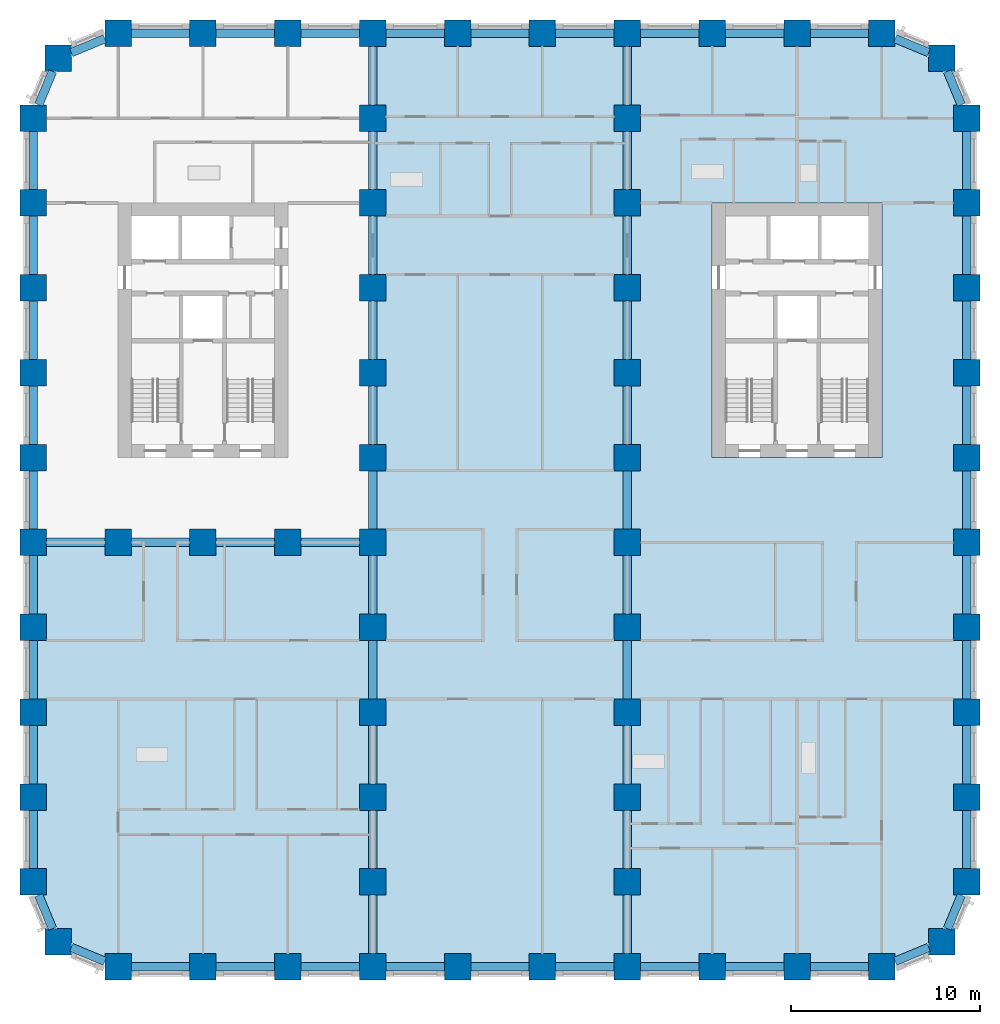
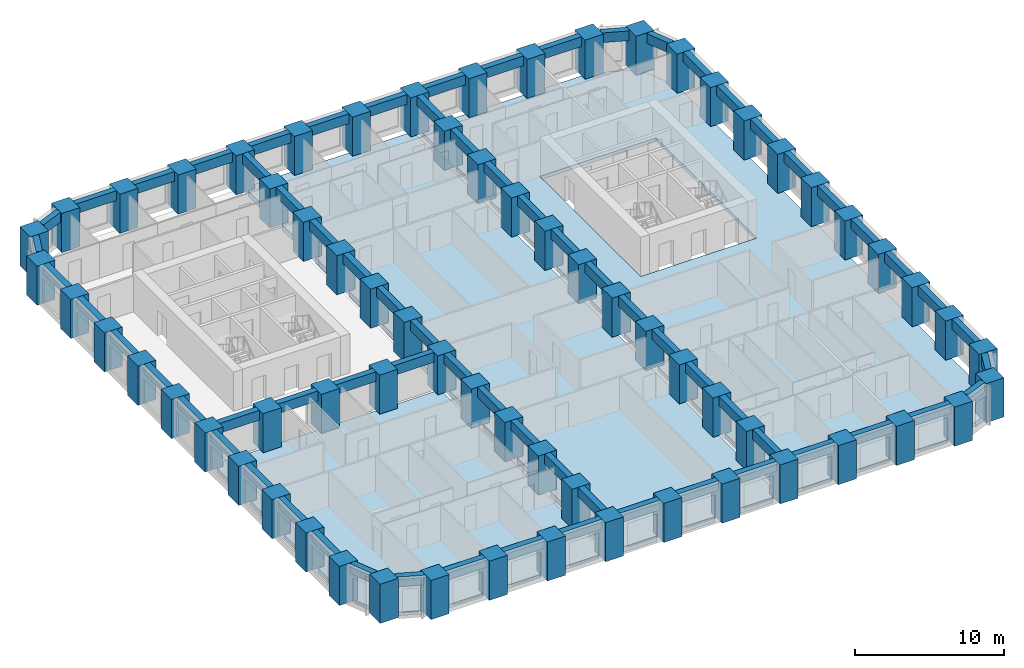
# One storey, part 1 of 13: 70 beams, 67 columns, 3 slabs.
"""IFC4 building model written with IfcOpenShell, lengths in metres."""

from ifc_helpers import new_model, si_unit, direction, frame, origin, origin_2d, place, context, subcontext, project, spatial, polyline, rectangle, outline, extrude, material, layer, layer_set, material_profile, profile_set, type_object, element, save


model = new_model("IFC4")

# Units and contexts
model_context = context("Model", 3, precision=1e-05, world=origin(), true_north=direction((0.0, 1.0)))
body_context = subcontext(model_context, "Body", "Model", "MODEL_VIEW")
ifc_project = project(units=[si_unit("LENGTHUNIT", "METRE"), si_unit("AREAUNIT", "SQUARE_METRE"), si_unit("VOLUMEUNIT", "CUBIC_METRE"), si_unit("PLANEANGLEUNIT", "RADIAN"), si_unit("MASSUNIT", "GRAM", prefix="KILO")], contexts=[model_context])

# Site, building, storey
site_placement = place(None, origin())
site = spatial("IfcSite", under=ifc_project, at=site_placement, CompositionType="ELEMENT")
building_placement = place(site_placement, origin())
building = spatial("IfcBuilding", under=site, at=building_placement, Name="Girih Gate Residences", CompositionType="ELEMENT")
storey_placement = place(building_placement, frame((0.0, 0.0, 49.60009765625)))
storey = spatial("IfcBuildingStorey", under=building, at=storey_placement, Name="L12", CompositionType="ELEMENT", Elevation=49.60009765625)

# Columns
ifc_material_1 = material(Name="Concrete C80/95", Category="concrete")
ifc_material_profile_1 = material_profile(ifc_material_1, rectangle(XDim=1.39990234375, YDim=1.39990234375, at=origin_2d()))
ifc_profile_set_1 = profile_set([ifc_material_profile_1], Name="Concrete C80/95")
column_type = type_object("IfcColumnType", Name="Pier RC 1400x1400 Concrete C80/95", PredefinedType="COLUMN", material=ifc_profile_set_1)
for number, where, z_axis, x_axis, name in (
    (1, (4.5, 0.0, 0.0), (0.0, 0.0, 1.0), (1.0, 0.0, 0.0), "Pier P2A L12"),
    (2, (9.0, 0.0, 0.0), (0.0, 0.0, 1.0), (1.0, 0.0, 0.0), "Pier P3A L12"),
    (3, (13.5, 0.0, 0.0), (0.0, 0.0, 1.0), (1.0, 0.0, 0.0), "Pier P4A L12"),
    (4, (18.0, 0.0, 0.0), (0.0, 0.0, 1.0), (1.0, 0.0, 0.0), "Pier P5A L12"),
    (5, (22.5, 0.0, 0.0), (0.0, 0.0, 1.0), (1.0, 0.0, 0.0), "Pier P6A L12"),
    (6, (27.0, 0.0, 0.0), (0.0, 0.0, 1.0), (1.0, 0.0, 0.0), "Pier P7A L12"),
    (7, (31.5, 0.0, 0.0), (0.0, 0.0, 1.0), (1.0, 0.0, 0.0), "Pier P8A L12"),
    (8, (36.0, 0.0, 0.0), (0.0, 0.0, 1.0), (1.0, 0.0, 0.0), "Pier P9A L12"),
    (9, (40.5, 0.0, 0.0), (0.0, 0.0, 1.0), (1.0, 0.0, 0.0), "Pier P10A L12"),
    (10, (45.0, 0.0, 0.0), (0.0, 0.0, 1.0), (1.0, 0.0, 0.0), "Pier P11A L12"),
    (11, (1.318115234375, 1.318115234375, 0.0), (0.0, 0.0, 1.0), (1.0, 0.0, 0.0), "Pier P1ANE L12"),
    (12, (48.181884765625, 1.318115234375, 0.0), (0.0, 0.0, 1.0), (1.0, 0.0, 0.0), "Pier P12ANW L12"),
    (13, (0.0, 4.5, 0.0), (0.0, 0.0, 1.0), (1.0, 0.0, 0.0), "Pier P1B L12"),
    (14, (18.0, 4.5, 0.0), (0.0, 0.0, 1.0), (1.0, 0.0, 0.0), "Pier P5B L12"),
    (15, (31.5, 4.5, 0.0), (0.0, 0.0, 1.0), (1.0, 0.0, 0.0), "Pier P8B L12"),
    (16, (49.5, 4.5, 0.0), (0.0, 0.0, 1.0), (1.0, 0.0, 0.0), "Pier P12B L12"),
    (17, (0.0, 9.0, 0.0), (0.0, 0.0, 1.0), (1.0, 0.0, 0.0), "Pier P1C L12"),
    (18, (18.0, 9.0, 0.0), (0.0, 0.0, 1.0), (1.0, 0.0, 0.0), "Pier P5C L12"),
    (19, (31.5, 9.0, 0.0), (0.0, 0.0, 1.0), (1.0, 0.0, 0.0), "Pier P8C L12"),
    (20, (49.5, 9.0, 0.0), (0.0, 0.0, 1.0), (1.0, 0.0, 0.0), "Pier P12C L12"),
    (21, (0.0, 13.5, 0.0), (0.0, 0.0, 1.0), (1.0, 0.0, 0.0), "Pier P1D L12"),
    (22, (18.0, 13.5, 0.0), (0.0, 0.0, 1.0), (1.0, 0.0, 0.0), "Pier P5D L12"),
    (23, (31.5, 13.5, 0.0), (0.0, 0.0, 1.0), (1.0, 0.0, 0.0), "Pier P8D L12"),
    (24, (49.5, 13.5, 0.0), (0.0, 0.0, 1.0), (1.0, 0.0, 0.0), "Pier P12D L12"),
    (25, (0.0, 18.0, 0.0), (0.0, 0.0, 1.0), (1.0, 0.0, 0.0), "Pier P1E L12"),
    (26, (18.0, 18.0, 0.0), (0.0, 0.0, 1.0), (1.0, 0.0, 0.0), "Pier P5E L12"),
    (27, (31.5, 18.0, 0.0), (0.0, 0.0, 1.0), (1.0, 0.0, 0.0), "Pier P8E L12"),
    (28, (49.5, 18.0, 0.0), (0.0, 0.0, 1.0), (1.0, 0.0, 0.0), "Pier P12E L12"),
    (29, (0.0, 22.5, 0.0), (0.0, 0.0, 1.0), (1.0, 0.0, 0.0), "Pier P1F L12"),
    (30, (4.5, 22.5, 0.0), (0.0, 0.0, 1.0), (1.0, 0.0, 0.0), "Pier P2F L12"),
    (31, (9.0, 22.5, 0.0), (0.0, 0.0, 1.0), (1.0, 0.0, 0.0), "Pier P3F L12"),
    (32, (13.5, 22.5, 0.0), (0.0, 0.0, 1.0), (1.0, 0.0, 0.0), "Pier P4F L12"),
    (33, (18.0, 22.5, 0.0), (0.0, 0.0, 1.0), (1.0, 0.0, 0.0), "Pier P5F L12"),
    (34, (31.5, 22.5, 0.0), (0.0, 0.0, 1.0), (1.0, 0.0, 0.0), "Pier P8F L12"),
    (35, (49.5, 22.5, 0.0), (0.0, 0.0, 1.0), (1.0, 0.0, 0.0), "Pier P12F L12"),
    (36, (0.0, 27.0, 0.0), (0.0, 0.0, 1.0), (1.0, 0.0, 0.0), "Pier P1G L12"),
    (37, (18.0, 27.0, 0.0), (0.0, 0.0, 1.0), (1.0, 0.0, 0.0), "Pier P5G L12"),
    (38, (31.5, 27.0, 0.0), (0.0, 0.0, 1.0), (1.0, 0.0, 0.0), "Pier P8G L12"),
    (39, (49.5, 27.0, 0.0), (0.0, 0.0, 1.0), (1.0, 0.0, 0.0), "Pier P12G L12"),
    (40, (0.0, 31.5, 0.0), (0.0, 0.0, 1.0), (1.0, 0.0, 0.0), "Pier P1H L12"),
    (41, (18.0, 31.5, 0.0), (0.0, 0.0, 1.0), (1.0, 0.0, 0.0), "Pier P5H L12"),
    (42, (31.5, 31.5, 0.0), (0.0, 0.0, 1.0), (1.0, 0.0, 0.0), "Pier P8H L12"),
    (43, (49.5, 31.5, 0.0), (0.0, 0.0, 1.0), (1.0, 0.0, 0.0), "Pier P12H L12"),
    (44, (0.0, 36.0, 0.0), (0.0, 0.0, 1.0), (1.0, 0.0, 0.0), "Pier P1I L12"),
    (45, (18.0, 36.0, 0.0), (0.0, 0.0, 1.0), (1.0, 0.0, 0.0), "Pier P5I L12"),
    (46, (31.5, 36.0, 0.0), (0.0, 0.0, 1.0), (1.0, 0.0, 0.0), "Pier P8I L12"),
    (47, (49.5, 36.0, 0.0), (0.0, 0.0, 1.0), (1.0, 0.0, 0.0), "Pier P12I L12"),
    (48, (0.0, 40.5, 0.0), (0.0, 0.0, 1.0), (1.0, 0.0, 0.0), "Pier P1J L12"),
    (49, (18.0, 40.5, 0.0), (0.0, 0.0, 1.0), (1.0, 0.0, 0.0), "Pier P5J L12"),
    (50, (31.5, 40.5, 0.0), (0.0, 0.0, 1.0), (1.0, 0.0, 0.0), "Pier P8J L12"),
    (51, (49.5, 40.5, 0.0), (0.0, 0.0, 1.0), (1.0, 0.0, 0.0), "Pier P12J L12"),
    (52, (0.0, 45.0, 0.0), (0.0, 0.0, 1.0), (1.0, 0.0, 0.0), "Pier P1K L12"),
    (53, (18.0, 45.0, 0.0), (0.0, 0.0, 1.0), (1.0, 0.0, 0.0), "Pier P5K L12"),
    (54, (31.5, 45.0, 0.0), (0.0, 0.0, 1.0), (1.0, 0.0, 0.0), "Pier P8K L12"),
    (55, (49.5, 45.0, 0.0), (0.0, 0.0, 1.0), (1.0, 0.0, 0.0), "Pier P12K L12"),
    (56, (1.318115234375, 48.181884765625, 0.0), (0.0, 0.0, 1.0), (1.0, 0.0, 0.0), "Pier P1LSE L12"),
    (57, (48.181884765625, 48.181884765625, 0.0), (0.0, 0.0, 1.0), (1.0, 0.0, 0.0), "Pier P12LSW L12"),
    (58, (4.5, 49.5, 0.0), (0.0, 0.0, 1.0), (1.0, 0.0, 0.0), "Pier P2L L12"),
    (59, (9.0, 49.5, 0.0), (0.0, 0.0, 1.0), (1.0, 0.0, 0.0), "Pier P3L L12"),
    (60, (13.5, 49.5, 0.0), (0.0, 0.0, 1.0), (1.0, 0.0, 0.0), "Pier P4L L12"),
    (61, (18.0, 49.5, 0.0), (0.0, 0.0, 1.0), (1.0, 0.0, 0.0), "Pier P5L L12"),
    (62, (22.5, 49.5, 0.0), (0.0, 0.0, 1.0), (1.0, 0.0, 0.0), "Pier P6L L12"),
    (63, (27.0, 49.5, 0.0), (0.0, 0.0, 1.0), (1.0, 0.0, 0.0), "Pier P7L L12"),
    (64, (31.5, 49.5, 0.0), (0.0, 0.0, 1.0), (1.0, 0.0, 0.0), "Pier P8L L12"),
    (65, (36.0, 49.5, 0.0), (0.0, 0.0, 1.0), (1.0, 0.0, 0.0), "Pier P9L L12"),
    (66, (40.5, 49.5, 0.0), (0.0, 0.0, 1.0), (1.0, 0.0, 0.0), "Pier P10L L12"),
    (67, (45.0, 49.5, 0.0), (0.0, 0.0, 1.0), (1.0, 0.0, 0.0), "Pier P11L L12"),
):
    element("IfcColumn", number, at=place(storey_placement, frame(where, z_axis=z_axis, x_axis=x_axis)), inside=storey, type_object=column_type, Name=name, PredefinedType="COLUMN", context=body_context, shape_type="SweptSolid", body=[
        extrude(rectangle(XDim=1.39990234375, YDim=1.39990234375, at=origin_2d()), origin(), (0.0, 0.0, 1.0), 3.199951171875),
    ])

# Beams
ifc_material_2 = material(Name="Concrete C60/75", Category="concrete")
ifc_material_profile_2 = material_profile(ifc_material_2, rectangle(XDim=0.449951171875, YDim=0.800048828125, at=origin_2d()))
ifc_profile_set_2 = profile_set([ifc_material_profile_2], Name="Concrete C60/75")
beam_type = type_object("IfcBeamType", Name="Spandrel girder RC 450x800 Concrete C60/75", PredefinedType="BEAM", material=ifc_profile_set_2)
for number, where, z_axis, x_axis, name in (
    (68, (0.2900390625, 3.800048828125, 2.7998046875), (0.382646180293, -0.923894961945, 0.0), (0.923894961945, 0.382646180293, 0.0), "Spandrel girder SP-P1B-P1ANE L12"),
    (69, (2.01806640625, 1.028076171875, 2.7998046875), (0.923894961945, -0.382646180293, 0.0), (0.382646180293, 0.923894961945, 0.0), "Spandrel girder SP-P1ANE-P2A L12"),
):
    element("IfcBeam", number, at=place(storey_placement, frame(where, z_axis=z_axis, x_axis=x_axis)), inside=storey, type_object=beam_type, Name=name, PredefinedType="BEAM", context=body_context, shape_type="SweptSolid", body=[
        extrude(rectangle(XDim=0.449951171875, YDim=0.800048828125, at=origin_2d()), origin(), (0.0, 0.0, 1.0), 1.9287109375),
    ])
for number, where, z_axis, x_axis, name in (
    (70, (5.199951171875, 0.0, 2.7998046875), (1.0, 0.0, 0.0), (0.0, 1.0, 0.0), "Spandrel girder SP-P2A-P3A L12"),
    (71, (9.699951171875, 0.0, 2.7998046875), (1.0, 0.0, 0.0), (0.0, 1.0, 0.0), "Spandrel girder SP-P3A-P4A L12"),
    (72, (14.199951171875, 0.0, 2.7998046875), (1.0, 0.0, 0.0), (0.0, 1.0, 0.0), "Spandrel girder SP-P4A-P5A L12"),
    (73, (18.699951171875, 0.0, 2.7998046875), (1.0, 0.0, 0.0), (0.0, 1.0, 0.0), "Spandrel girder SP-P5A-P6A L12"),
    (74, (23.199951171875, 0.0, 2.7998046875), (1.0, 0.0, 0.0), (0.0, 1.0, 0.0), "Spandrel girder SP-P6A-P7A L12"),
    (75, (27.699951171875, 0.0, 2.7998046875), (1.0, 0.0, 0.0), (0.0, 1.0, 0.0), "Spandrel girder SP-P7A-P8A L12"),
    (76, (32.199951171875, 0.0, 2.7998046875), (1.0, 0.0, 0.0), (0.0, 1.0, 0.0), "Spandrel girder SP-P8A-P9A L12"),
    (77, (36.699951171875, 0.0, 2.7998046875), (1.0, 0.0, 0.0), (0.0, 1.0, 0.0), "Spandrel girder SP-P9A-P10A L12"),
    (78, (41.199951171875, 0.0, 2.7998046875), (1.0, 0.0, 0.0), (0.0, 1.0, 0.0), "Spandrel girder SP-P10A-P11A L12"),
):
    element("IfcBeam", number, at=place(storey_placement, frame(where, z_axis=z_axis, x_axis=x_axis)), inside=storey, type_object=beam_type, Name=name, PredefinedType="BEAM", context=body_context, shape_type="SweptSolid", body=[
        extrude(rectangle(XDim=0.449951171875, YDim=0.800048828125, at=origin_2d()), origin(), (0.0, 0.0, 1.0), 3.10009765625),
    ])
for number, where, z_axis, x_axis, name in (
    (79, (45.699951171875, 0.2900390625, 2.7998046875), (0.923894961945, 0.382646180293, 0.0), (-0.382646180293, 0.923894961945, 0.0), "Spandrel girder SP-P11A-P12ANW L12"),
    (80, (48.471923828125, 2.01806640625, 2.7998046875), (0.382646180293, 0.923894961945, 0.0), (-0.923894961945, 0.382646180293, 0.0), "Spandrel girder SP-P12ANW-P12B L12"),
):
    element("IfcBeam", number, at=place(storey_placement, frame(where, z_axis=z_axis, x_axis=x_axis)), inside=storey, type_object=beam_type, Name=name, PredefinedType="BEAM", context=body_context, shape_type="SweptSolid", body=[
        extrude(rectangle(XDim=0.449951171875, YDim=0.800048828125, at=origin_2d()), origin(), (0.0, 0.0, 1.0), 1.9287109375),
    ])
for number, where, z_axis, x_axis, name in (
    (81, (49.5, 5.199951171875, 2.7998046875), (0.0, 1.0, 0.0), (-1.0, 0.0, 0.0), "Spandrel girder SP-P12B-P12C L12"),
    (82, (49.5, 9.699951171875, 2.7998046875), (0.0, 1.0, 0.0), (-1.0, 0.0, 0.0), "Spandrel girder SP-P12C-P12D L12"),
    (83, (49.5, 14.199951171875, 2.7998046875), (0.0, 1.0, 0.0), (-1.0, 0.0, 0.0), "Spandrel girder SP-P12D-P12E L12"),
    (84, (49.5, 18.699951171875, 2.7998046875), (0.0, 1.0, 0.0), (-1.0, 0.0, 0.0), "Spandrel girder SP-P12E-P12F L12"),
    (85, (49.5, 23.199951171875, 2.7998046875), (0.0, 1.0, 0.0), (-1.0, 0.0, 0.0), "Spandrel girder SP-P12F-P12G L12"),
    (86, (49.5, 27.699951171875, 2.7998046875), (0.0, 1.0, 0.0), (-1.0, 0.0, 0.0), "Spandrel girder SP-P12G-P12H L12"),
    (87, (49.5, 32.199951171875, 2.7998046875), (0.0, 1.0, 0.0), (-1.0, 0.0, 0.0), "Spandrel girder SP-P12H-P12I L12"),
    (88, (49.5, 36.699951171875, 2.7998046875), (0.0, 1.0, 0.0), (-1.0, 0.0, 0.0), "Spandrel girder SP-P12I-P12J L12"),
    (89, (49.5, 41.199951171875, 2.7998046875), (0.0, 1.0, 0.0), (-1.0, 0.0, 0.0), "Spandrel girder SP-P12J-P12K L12"),
):
    element("IfcBeam", number, at=place(storey_placement, frame(where, z_axis=z_axis, x_axis=x_axis)), inside=storey, type_object=beam_type, Name=name, PredefinedType="BEAM", context=body_context, shape_type="SweptSolid", body=[
        extrude(rectangle(XDim=0.449951171875, YDim=0.800048828125, at=origin_2d()), origin(), (0.0, 0.0, 1.0), 3.10009765625),
    ])
for number, where, z_axis, x_axis, name in (
    (90, (49.2099609375, 45.699951171875, 2.7998046875), (-0.382646180293, 0.923894961945, 0.0), (-0.923894961945, -0.382646180293, 0.0), "Spandrel girder SP-P12K-P12LSW L12"),
    (91, (47.48193359375, 48.471923828125, 2.7998046875), (-0.923894961945, 0.382646180293, 0.0), (-0.382646180293, -0.923894961945, 0.0), "Spandrel girder SP-P12LSW-P11L L12"),
):
    element("IfcBeam", number, at=place(storey_placement, frame(where, z_axis=z_axis, x_axis=x_axis)), inside=storey, type_object=beam_type, Name=name, PredefinedType="BEAM", context=body_context, shape_type="SweptSolid", body=[
        extrude(rectangle(XDim=0.449951171875, YDim=0.800048828125, at=origin_2d()), origin(), (0.0, 0.0, 1.0), 1.9287109375),
    ])
for number, where, z_axis, x_axis, name in (
    (92, (44.300048828125, 49.5, 2.7998046875), (-1.0, 0.0, 0.0), (0.0, -1.0, 0.0), "Spandrel girder SP-P11L-P10L L12"),
    (93, (39.800048828125, 49.5, 2.7998046875), (-1.0, 0.0, 0.0), (0.0, -1.0, 0.0), "Spandrel girder SP-P10L-P9L L12"),
    (94, (35.300048828125, 49.5, 2.7998046875), (-1.0, 0.0, 0.0), (0.0, -1.0, 0.0), "Spandrel girder SP-P9L-P8L L12"),
    (95, (30.800048828125, 49.5, 2.7998046875), (-1.0, 0.0, 0.0), (0.0, -1.0, 0.0), "Spandrel girder SP-P8L-P7L L12"),
    (96, (26.300048828125, 49.5, 2.7998046875), (-1.0, 0.0, 0.0), (0.0, -1.0, 0.0), "Spandrel girder SP-P7L-P6L L12"),
    (97, (21.800048828125, 49.5, 2.7998046875), (-1.0, 0.0, 0.0), (0.0, -1.0, 0.0), "Spandrel girder SP-P6L-P5L L12"),
    (98, (17.300048828125, 49.5, 2.7998046875), (-1.0, 0.0, 0.0), (0.0, -1.0, 0.0), "Spandrel girder SP-P5L-P4L L12"),
    (99, (12.800048828125, 49.5, 2.7998046875), (-1.0, 0.0, 0.0), (0.0, -1.0, 0.0), "Spandrel girder SP-P4L-P3L L12"),
    (100, (8.300048828125, 49.5, 2.7998046875), (-1.0, 0.0, 0.0), (0.0, -1.0, 0.0), "Spandrel girder SP-P3L-P2L L12"),
):
    element("IfcBeam", number, at=place(storey_placement, frame(where, z_axis=z_axis, x_axis=x_axis)), inside=storey, type_object=beam_type, Name=name, PredefinedType="BEAM", context=body_context, shape_type="SweptSolid", body=[
        extrude(rectangle(XDim=0.449951171875, YDim=0.800048828125, at=origin_2d()), origin(), (0.0, 0.0, 1.0), 3.10009765625),
    ])
for number, where, z_axis, x_axis, name in (
    (101, (3.800048828125, 49.2099609375, 2.7998046875), (-0.923894961945, -0.382646180293, 0.0), (0.382646180293, -0.923894961945, 0.0), "Spandrel girder SP-P2L-P1LSE L12"),
    (102, (1.028076171875, 47.48193359375, 2.7998046875), (-0.382646180293, -0.923894961945, 0.0), (0.923894961945, -0.382646180293, 0.0), "Spandrel girder SP-P1LSE-P1K L12"),
):
    element("IfcBeam", number, at=place(storey_placement, frame(where, z_axis=z_axis, x_axis=x_axis)), inside=storey, type_object=beam_type, Name=name, PredefinedType="BEAM", context=body_context, shape_type="SweptSolid", body=[
        extrude(rectangle(XDim=0.449951171875, YDim=0.800048828125, at=origin_2d()), origin(), (0.0, 0.0, 1.0), 1.9287109375),
    ])
for number, where, z_axis, x_axis, name in (
    (103, (0.0, 44.300048828125, 2.7998046875), (0.0, -1.0, 0.0), (1.0, 0.0, 0.0), "Spandrel girder SP-P1K-P1J L12"),
    (104, (0.0, 39.800048828125, 2.7998046875), (0.0, -1.0, 0.0), (1.0, 0.0, 0.0), "Spandrel girder SP-P1J-P1I L12"),
    (105, (0.0, 35.300048828125, 2.7998046875), (0.0, -1.0, 0.0), (1.0, 0.0, 0.0), "Spandrel girder SP-P1I-P1H L12"),
    (106, (0.0, 30.800048828125, 2.7998046875), (0.0, -1.0, 0.0), (1.0, 0.0, 0.0), "Spandrel girder SP-P1H-P1G L12"),
    (107, (0.0, 26.300048828125, 2.7998046875), (0.0, -1.0, 0.0), (1.0, 0.0, 0.0), "Spandrel girder SP-P1G-P1F L12"),
    (108, (0.0, 21.800048828125, 2.7998046875), (0.0, -1.0, 0.0), (1.0, 0.0, 0.0), "Spandrel girder SP-P1F-P1E L12"),
    (109, (0.0, 17.300048828125, 2.7998046875), (0.0, -1.0, 0.0), (1.0, 0.0, 0.0), "Spandrel girder SP-P1E-P1D L12"),
    (110, (0.0, 12.800048828125, 2.7998046875), (0.0, -1.0, 0.0), (1.0, 0.0, 0.0), "Spandrel girder SP-P1D-P1C L12"),
    (111, (0.0, 8.300048828125, 2.7998046875), (0.0, -1.0, 0.0), (1.0, 0.0, 0.0), "Spandrel girder SP-P1C-P1B L12"),
    (112, (18.0, 0.699951171875, 2.7998046875), (0.0, 1.0, 0.0), (-1.0, 0.0, 0.0), "Spandrel girder SP-P5A-P5B L12"),
    (113, (18.0, 5.199951171875, 2.7998046875), (0.0, 1.0, 0.0), (-1.0, 0.0, 0.0), "Spandrel girder SP-P5B-P5C L12"),
    (114, (18.0, 9.699951171875, 2.7998046875), (0.0, 1.0, 0.0), (-1.0, 0.0, 0.0), "Spandrel girder SP-P5C-P5D L12"),
    (115, (18.0, 14.199951171875, 2.7998046875), (0.0, 1.0, 0.0), (-1.0, 0.0, 0.0), "Spandrel girder SP-P5D-P5E L12"),
    (116, (18.0, 18.699951171875, 2.7998046875), (0.0, 1.0, 0.0), (-1.0, 0.0, 0.0), "Spandrel girder SP-P5E-P5F L12"),
    (117, (18.0, 23.199951171875, 2.7998046875), (0.0, 1.0, 0.0), (-1.0, 0.0, 0.0), "Spandrel girder SP-P5F-P5G L12"),
    (118, (18.0, 27.699951171875, 2.7998046875), (0.0, 1.0, 0.0), (-1.0, 0.0, 0.0), "Spandrel girder SP-P5G-P5H L12"),
    (119, (18.0, 32.199951171875, 2.7998046875), (0.0, 1.0, 0.0), (-1.0, 0.0, 0.0), "Spandrel girder SP-P5H-P5I L12"),
    (120, (18.0, 36.699951171875, 2.7998046875), (0.0, 1.0, 0.0), (-1.0, 0.0, 0.0), "Spandrel girder SP-P5I-P5J L12"),
    (121, (18.0, 41.199951171875, 2.7998046875), (0.0, 1.0, 0.0), (-1.0, 0.0, 0.0), "Spandrel girder SP-P5J-P5K L12"),
    (122, (18.0, 45.699951171875, 2.7998046875), (0.0, 1.0, 0.0), (-1.0, 0.0, 0.0), "Spandrel girder SP-P5K-P5L L12"),
    (123, (31.5, 0.699951171875, 2.7998046875), (0.0, 1.0, 0.0), (-1.0, 0.0, 0.0), "Spandrel girder SP-P8A-P8B L12"),
    (124, (31.5, 5.199951171875, 2.7998046875), (0.0, 1.0, 0.0), (-1.0, 0.0, 0.0), "Spandrel girder SP-P8B-P8C L12"),
    (125, (31.5, 9.699951171875, 2.7998046875), (0.0, 1.0, 0.0), (-1.0, 0.0, 0.0), "Spandrel girder SP-P8C-P8D L12"),
    (126, (31.5, 14.199951171875, 2.7998046875), (0.0, 1.0, 0.0), (-1.0, 0.0, 0.0), "Spandrel girder SP-P8D-P8E L12"),
    (127, (31.5, 18.699951171875, 2.7998046875), (0.0, 1.0, 0.0), (-1.0, 0.0, 0.0), "Spandrel girder SP-P8E-P8F L12"),
    (128, (31.5, 23.199951171875, 2.7998046875), (0.0, 1.0, 0.0), (-1.0, 0.0, 0.0), "Spandrel girder SP-P8F-P8G L12"),
    (129, (31.5, 27.699951171875, 2.7998046875), (0.0, 1.0, 0.0), (-1.0, 0.0, 0.0), "Spandrel girder SP-P8G-P8H L12"),
    (130, (31.5, 32.199951171875, 2.7998046875), (0.0, 1.0, 0.0), (-1.0, 0.0, 0.0), "Spandrel girder SP-P8H-P8I L12"),
    (131, (31.5, 36.699951171875, 2.7998046875), (0.0, 1.0, 0.0), (-1.0, 0.0, 0.0), "Spandrel girder SP-P8I-P8J L12"),
    (132, (31.5, 41.199951171875, 2.7998046875), (0.0, 1.0, 0.0), (-1.0, 0.0, 0.0), "Spandrel girder SP-P8J-P8K L12"),
    (133, (31.5, 45.699951171875, 2.7998046875), (0.0, 1.0, 0.0), (-1.0, 0.0, 0.0), "Spandrel girder SP-P8K-P8L L12"),
    (134, (0.699951171875, 22.5, 2.7998046875), (1.0, 0.0, 0.0), (0.0, 1.0, 0.0), "Spandrel girder SP-P1F-P2F L12"),
    (135, (5.199951171875, 22.5, 2.7998046875), (1.0, 0.0, 0.0), (0.0, 1.0, 0.0), "Spandrel girder SP-P2F-P3F L12"),
    (136, (9.699951171875, 22.5, 2.7998046875), (1.0, 0.0, 0.0), (0.0, 1.0, 0.0), "Spandrel girder SP-P3F-P4F L12"),
    (137, (14.199951171875, 22.5, 2.7998046875), (1.0, 0.0, 0.0), (0.0, 1.0, 0.0), "Spandrel girder SP-P4F-P5F L12"),
):
    element("IfcBeam", number, at=place(storey_placement, frame(where, z_axis=z_axis, x_axis=x_axis)), inside=storey, type_object=beam_type, Name=name, PredefinedType="BEAM", context=body_context, shape_type="SweptSolid", body=[
        extrude(rectangle(XDim=0.449951171875, YDim=0.800048828125, at=origin_2d()), origin(), (0.0, 0.0, 1.0), 3.10009765625),
    ])

# Slabs
ifc_material_3 = material(Name="Concrete C40/50", Category="concrete")
ifc_layer_1 = layer(ifc_material_3, 0.300048828125)
ifc_layer_set_1 = layer_set([ifc_layer_1], Name="Floor slab PT 300 Concrete C40/50")
slab_type_1 = type_object("IfcSlabType", Name="Floor slab PT 300 Concrete C40/50", PredefinedType="FLOOR", material=ifc_layer_set_1)
slab_1_placement = place(storey_placement, frame((0.0, 0.0, -0.300048828125)))
element("IfcSlab", 138, at=slab_1_placement, inside=storey, type_object=slab_type_1, Name="Floor slab L12 0", PredefinedType="FLOOR", context=body_context, shape_type="SweptSolid", body=[
    extrude(outline(polyline([(0.22509765625, 8.300048828125), (0.22509765625, 5.199951171875), (0.699951171875, 5.199951171875), (0.699951171875, 3.800048828125), (0.533447265625, 3.800048828125), (1.271728515625, 2.01806640625), (2.01806640625, 2.01806640625), (2.01806640625, 1.271728515625), (3.800048828125, 0.533447265625), (3.800048828125, 0.699951171875), (5.199951171875, 0.699951171875), (5.199951171875, 0.22509765625), (8.300048828125, 0.22509765625), (8.300048828125, 0.699951171875), (9.699951171875, 0.699951171875), (9.699951171875, 0.22509765625), (12.800048828125, 0.22509765625), (12.800048828125, 0.699951171875), (14.199951171875, 0.699951171875), (14.199951171875, 0.22509765625), (17.300048828125, 0.22509765625), (17.300048828125, 0.699951171875), (17.77490234375, 0.699951171875), (17.77490234375, 3.800048828125), (17.300048828125, 3.800048828125), (17.300048828125, 5.199951171875), (17.77490234375, 5.199951171875), (17.77490234375, 8.300048828125), (17.300048828125, 8.300048828125), (17.300048828125, 9.699951171875), (17.77490234375, 9.699951171875), (17.77490234375, 12.800048828125), (17.300048828125, 12.800048828125), (17.300048828125, 14.199951171875), (17.77490234375, 14.199951171875), (17.77490234375, 17.300048828125), (17.300048828125, 17.300048828125), (17.300048828125, 18.699951171875), (17.77490234375, 18.699951171875), (17.77490234375, 21.800048828125), (17.300048828125, 21.800048828125), (17.300048828125, 22.27490234375), (14.199951171875, 22.27490234375), (14.199951171875, 21.800048828125), (12.800048828125, 21.800048828125), (12.800048828125, 22.27490234375), (9.699951171875, 22.27490234375), (9.699951171875, 21.800048828125), (8.300048828125, 21.800048828125), (8.300048828125, 22.27490234375), (5.199951171875, 22.27490234375), (5.199951171875, 21.800048828125), (3.800048828125, 21.800048828125), (3.800048828125, 22.27490234375), (0.699951171875, 22.27490234375), (0.699951171875, 21.800048828125), (0.22509765625, 21.800048828125), (0.22509765625, 18.699951171875), (0.699951171875, 18.699951171875), (0.699951171875, 17.300048828125), (0.22509765625, 17.300048828125), (0.22509765625, 14.199951171875), (0.699951171875, 14.199951171875), (0.699951171875, 12.800048828125), (0.22509765625, 12.800048828125), (0.22509765625, 9.699951171875), (0.699951171875, 9.699951171875), (0.699951171875, 8.300048828125), (0.22509765625, 8.300048828125)])), origin(), (0.0, 0.0, 1.0), 0.300048828125),
])
slab_2_placement = place(storey_placement, frame((0.0, 0.0, -0.300048828125)))
element("IfcSlab", 139, at=slab_2_placement, inside=storey, type_object=slab_type_1, Name="Floor slab L12 1", PredefinedType="FLOOR", context=body_context, shape_type="SweptSolid", body=[
    extrude(outline(polyline([(35.300048828125, 49.27490234375), (32.199951171875, 49.27490234375), (32.199951171875, 48.800048828125), (31.72509765625, 48.800048828125), (31.72509765625, 45.699951171875), (32.199951171875, 45.699951171875), (32.199951171875, 44.300048828125), (31.72509765625, 44.300048828125), (31.72509765625, 41.199951171875), (32.199951171875, 41.199951171875), (32.199951171875, 39.800048828125), (31.72509765625, 39.800048828125), (31.72509765625, 36.699951171875), (32.199951171875, 36.699951171875), (32.199951171875, 35.300048828125), (31.72509765625, 35.300048828125), (31.72509765625, 32.199951171875), (32.199951171875, 32.199951171875), (32.199951171875, 30.800048828125), (31.72509765625, 30.800048828125), (31.72509765625, 27.699951171875), (32.199951171875, 27.699951171875), (32.199951171875, 26.300048828125), (31.72509765625, 26.300048828125), (31.72509765625, 23.199951171875), (32.199951171875, 23.199951171875), (32.199951171875, 21.800048828125), (31.72509765625, 21.800048828125), (31.72509765625, 18.699951171875), (32.199951171875, 18.699951171875), (32.199951171875, 17.300048828125), (31.72509765625, 17.300048828125), (31.72509765625, 14.199951171875), (32.199951171875, 14.199951171875), (32.199951171875, 12.800048828125), (31.72509765625, 12.800048828125), (31.72509765625, 9.699951171875), (32.199951171875, 9.699951171875), (32.199951171875, 8.300048828125), (31.72509765625, 8.300048828125), (31.72509765625, 5.199951171875), (32.199951171875, 5.199951171875), (32.199951171875, 3.800048828125), (31.72509765625, 3.800048828125), (31.72509765625, 0.699951171875), (32.199951171875, 0.699951171875), (32.199951171875, 0.22509765625), (35.300048828125, 0.22509765625), (35.300048828125, 0.699951171875), (36.699951171875, 0.699951171875), (36.699951171875, 0.22509765625), (39.800048828125, 0.22509765625), (39.800048828125, 0.699951171875), (41.199951171875, 0.699951171875), (41.199951171875, 0.22509765625), (44.300048828125, 0.22509765625), (44.300048828125, 0.699951171875), (45.699951171875, 0.699951171875), (45.699951171875, 0.533447265625), (47.48193359375, 1.271728515625), (47.48193359375, 2.01806640625), (48.228271484375, 2.01806640625), (48.966552734375, 3.800048828125), (48.800048828125, 3.800048828125), (48.800048828125, 5.199951171875), (49.27490234375, 5.199951171875), (49.27490234375, 8.300048828125), (48.800048828125, 8.300048828125), (48.800048828125, 9.699951171875), (49.27490234375, 9.699951171875), (49.27490234375, 12.800048828125), (48.800048828125, 12.800048828125), (48.800048828125, 14.199951171875), (49.27490234375, 14.199951171875), (49.27490234375, 17.300048828125), (48.800048828125, 17.300048828125), (48.800048828125, 18.699951171875), (49.27490234375, 18.699951171875), (49.27490234375, 21.800048828125), (48.800048828125, 21.800048828125), (48.800048828125, 23.199951171875), (49.27490234375, 23.199951171875), (49.27490234375, 26.300048828125), (48.800048828125, 26.300048828125), (48.800048828125, 27.699951171875), (49.27490234375, 27.699951171875), (49.27490234375, 30.800048828125), (48.800048828125, 30.800048828125), (48.800048828125, 32.199951171875), (49.27490234375, 32.199951171875), (49.27490234375, 35.300048828125), (48.800048828125, 35.300048828125), (48.800048828125, 36.699951171875), (49.27490234375, 36.699951171875), (49.27490234375, 39.800048828125), (48.800048828125, 39.800048828125), (48.800048828125, 41.199951171875), (49.27490234375, 41.199951171875), (49.27490234375, 44.300048828125), (48.800048828125, 44.300048828125), (48.800048828125, 45.699951171875), (48.966552734375, 45.699951171875), (48.228271484375, 47.48193359375), (47.48193359375, 47.48193359375), (47.48193359375, 48.228271484375), (45.699951171875, 48.966552734375), (45.699951171875, 48.800048828125), (44.300048828125, 48.800048828125), (44.300048828125, 49.27490234375), (41.199951171875, 49.27490234375), (41.199951171875, 48.800048828125), (39.800048828125, 48.800048828125), (39.800048828125, 49.27490234375), (36.699951171875, 49.27490234375), (36.699951171875, 48.800048828125), (35.300048828125, 48.800048828125), (35.300048828125, 49.27490234375)]), holes=[polyline([(45.0, 40.5), (45.0, 27.0), (36.0, 27.0), (36.0, 40.5), (45.0, 40.5)])]), origin(), (0.0, 0.0, 1.0), 0.300048828125),
])
ifc_layer_2 = layer(ifc_material_3, 0.449951171875)
ifc_layer_set_2 = layer_set([ifc_layer_2], Name="Floor slab PT 450 Concrete C40/50")
slab_type_2 = type_object("IfcSlabType", Name="Floor slab PT 450 Concrete C40/50", PredefinedType="FLOOR", material=ifc_layer_set_2)
slab_3_placement = place(storey_placement, frame((0.0, 0.0, -0.4501953125)))
element("IfcSlab", 140, at=slab_3_placement, inside=storey, type_object=slab_type_2, Name="Floor slab L12 2", PredefinedType="FLOOR", context=body_context, shape_type="SweptSolid", body=[
    extrude(outline(polyline([(21.800048828125, 49.27490234375), (18.699951171875, 49.27490234375), (18.699951171875, 48.800048828125), (18.22509765625, 48.800048828125), (18.22509765625, 45.699951171875), (18.699951171875, 45.699951171875), (18.699951171875, 44.300048828125), (18.22509765625, 44.300048828125), (18.22509765625, 41.199951171875), (18.699951171875, 41.199951171875), (18.699951171875, 39.800048828125), (18.22509765625, 39.800048828125), (18.22509765625, 36.699951171875), (18.699951171875, 36.699951171875), (18.699951171875, 35.300048828125), (18.22509765625, 35.300048828125), (18.22509765625, 32.199951171875), (18.699951171875, 32.199951171875), (18.699951171875, 30.800048828125), (18.22509765625, 30.800048828125), (18.22509765625, 27.699951171875), (18.699951171875, 27.699951171875), (18.699951171875, 26.300048828125), (18.22509765625, 26.300048828125), (18.22509765625, 23.199951171875), (18.699951171875, 23.199951171875), (18.699951171875, 21.800048828125), (18.22509765625, 21.800048828125), (18.22509765625, 18.699951171875), (18.699951171875, 18.699951171875), (18.699951171875, 17.300048828125), (18.22509765625, 17.300048828125), (18.22509765625, 14.199951171875), (18.699951171875, 14.199951171875), (18.699951171875, 12.800048828125), (18.22509765625, 12.800048828125), (18.22509765625, 9.699951171875), (18.699951171875, 9.699951171875), (18.699951171875, 8.300048828125), (18.22509765625, 8.300048828125), (18.22509765625, 5.199951171875), (18.699951171875, 5.199951171875), (18.699951171875, 3.800048828125), (18.22509765625, 3.800048828125), (18.22509765625, 0.699951171875), (18.699951171875, 0.699951171875), (18.699951171875, 0.22509765625), (21.800048828125, 0.22509765625), (21.800048828125, 0.699951171875), (23.199951171875, 0.699951171875), (23.199951171875, 0.22509765625), (26.300048828125, 0.22509765625), (26.300048828125, 0.699951171875), (27.699951171875, 0.699951171875), (27.699951171875, 0.22509765625), (30.800048828125, 0.22509765625), (30.800048828125, 0.699951171875), (31.27490234375, 0.699951171875), (31.27490234375, 3.800048828125), (30.800048828125, 3.800048828125), (30.800048828125, 5.199951171875), (31.27490234375, 5.199951171875), (31.27490234375, 8.300048828125), (30.800048828125, 8.300048828125), (30.800048828125, 9.699951171875), (31.27490234375, 9.699951171875), (31.27490234375, 12.800048828125), (30.800048828125, 12.800048828125), (30.800048828125, 14.199951171875), (31.27490234375, 14.199951171875), (31.27490234375, 17.300048828125), (30.800048828125, 17.300048828125), (30.800048828125, 18.699951171875), (31.27490234375, 18.699951171875), (31.27490234375, 21.800048828125), (30.800048828125, 21.800048828125), (30.800048828125, 23.199951171875), (31.27490234375, 23.199951171875), (31.27490234375, 26.300048828125), (30.800048828125, 26.300048828125), (30.800048828125, 27.699951171875), (31.27490234375, 27.699951171875), (31.27490234375, 30.800048828125), (30.800048828125, 30.800048828125), (30.800048828125, 32.199951171875), (31.27490234375, 32.199951171875), (31.27490234375, 35.300048828125), (30.800048828125, 35.300048828125), (30.800048828125, 36.699951171875), (31.27490234375, 36.699951171875), (31.27490234375, 39.800048828125), (30.800048828125, 39.800048828125), (30.800048828125, 41.199951171875), (31.27490234375, 41.199951171875), (31.27490234375, 44.300048828125), (30.800048828125, 44.300048828125), (30.800048828125, 45.699951171875), (31.27490234375, 45.699951171875), (31.27490234375, 48.800048828125), (30.800048828125, 48.800048828125), (30.800048828125, 49.27490234375), (27.699951171875, 49.27490234375), (27.699951171875, 48.800048828125), (26.300048828125, 48.800048828125), (26.300048828125, 49.27490234375), (23.199951171875, 49.27490234375), (23.199951171875, 48.800048828125), (21.800048828125, 48.800048828125), (21.800048828125, 49.27490234375)])), origin(), (0.0, 0.0, 1.0), 0.4501953125),
])

save(model, "model.ifc")
